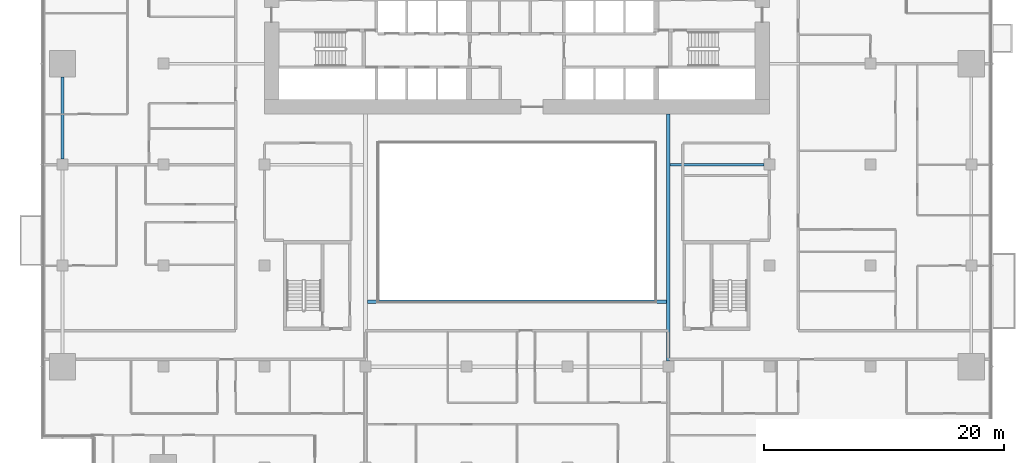
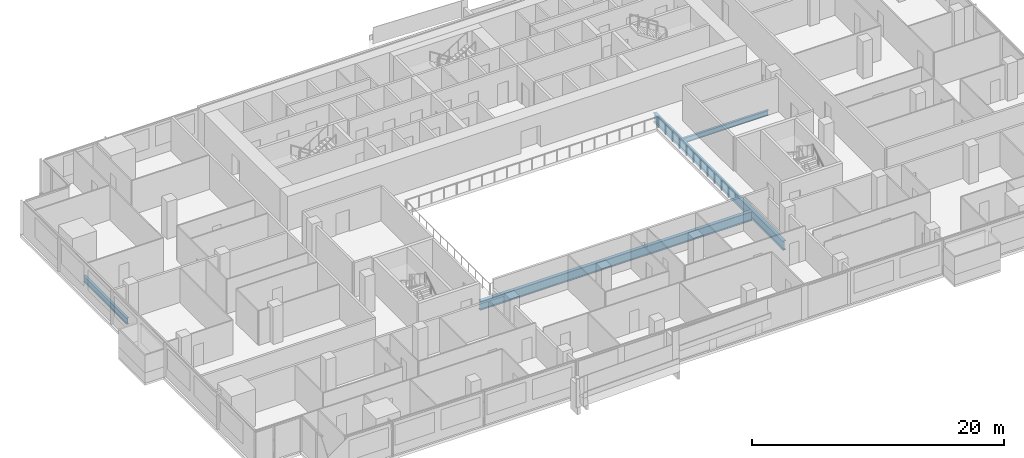
# One storey, part 7 of 26: 4 beams.
"""IFC4 building model written with IfcOpenShell, lengths in metres."""

import ifcopenshell
import ifcopenshell.guid

model = None  # the IFC model being written
_history = None  # IfcOwnerHistory: only IFC2X3 demands one
_inside = {}  # id of a spatial element -> (the spatial element, [elements in it])
_under = {}  # id of a project, library or spatial element -> (it, [spatial elements below it])
_declared = {}  # id of a project -> (the project, [libraries it declares])
_typed = {}  # id of a type object -> (the type object, [elements of that type])
_made_of = {}  # id of a material, layer set ... -> (it, [elements and type objects made of it])


def new_model(schema):
    """Start an empty IFC model of exactly this schema.

    Asked for "IFC4X3", IfcOpenShell would pick the latest addendum, in which some entities
    have other attributes; the version numbers below select the first issue.
    IFC2X3 requires an IfcOwnerHistory on every rooted entity: one is made here for all.
    """
    global model, _history
    if schema == "IFC4X3":
        model = ifcopenshell.file(schema_version=(4, 3, 0, 0))
    else:
        model = ifcopenshell.file(schema=schema)
    _inside.clear()
    _under.clear()
    _declared.clear()
    _typed.clear()
    _made_of.clear()
    _history = None
    if model.schema == "IFC2X3":
        org = make("IfcOrganization", Name="unknown")
        user = make(
            "IfcPersonAndOrganization",
            ThePerson=make("IfcPerson", FamilyName="unknown"),
            TheOrganization=org,
        )
        app = make(
            "IfcApplication",
            ApplicationDeveloper=org,
            Version="unknown",
            ApplicationFullName="unknown",
            ApplicationIdentifier="unknown",
        )
        _history = make(
            "IfcOwnerHistory",
            OwningUser=user,
            OwningApplication=app,
            ChangeAction="ADDED",
            CreationDate=0,
        )
    return model


def make(cls, **values):
    """One entity of the class cls with the attributes given. An attribute that is None is left unset."""
    return model.create_entity(
        cls, **{name: value for name, value in values.items() if value is not None}
    )


def rooted(cls, **values):
    """An entity with a GlobalId (a new one), such as an element, a storey or a relation."""
    return make(cls, GlobalId=ifcopenshell.guid.new(), OwnerHistory=_history, **values)


def si_unit(unit_type, name, prefix=None):
    """IfcSIUnit, for example si_unit("LENGTHUNIT", "METRE", prefix="MILLI")."""
    return make("IfcSIUnit", UnitType=unit_type, Prefix=prefix, Name=name)


def assignment(units):
    """IfcUnitAssignment: the units of a project."""
    return None if units is None else make("IfcUnitAssignment", Units=units)


def point(xyz):
    """IfcCartesianPoint."""
    return None if xyz is None else make("IfcCartesianPoint", Coordinates=xyz)


def direction(xyz):
    """IfcDirection."""
    return None if xyz is None else make("IfcDirection", DirectionRatios=xyz)


def frame(location, z_axis=None, x_axis=None):
    """IfcAxis2Placement3D, a coordinate frame: its origin and axes. An axis left out is left unset."""
    return make(
        "IfcAxis2Placement3D",
        Location=point(location),
        Axis=direction(z_axis),
        RefDirection=direction(x_axis),
    )


def frame_2d(location, x_axis=None):
    """IfcAxis2Placement2D, a coordinate frame in the plane: its origin and x axis."""
    return make(
        "IfcAxis2Placement2D", Location=point(location), RefDirection=direction(x_axis)
    )


def origin():
    """The frame at (0, 0, 0) with its axes left unset."""
    return frame((0.0, 0.0, 0.0))


def origin_2d():
    """The frame at (0, 0) in the plane with its x axis left unset."""
    return frame_2d((0.0, 0.0))


def place(relative_to, where):
    """IfcLocalPlacement: puts the frame where relative to a parent placement (None: the world)."""
    return make(
        "IfcLocalPlacement", PlacementRelTo=relative_to, RelativePlacement=where
    )


def context(
    kind, dimensions, precision=None, world=None, true_north=None, identifier=None
):
    """IfcGeometricRepresentationContext, for example the 3D "Model" context."""
    return make(
        "IfcGeometricRepresentationContext",
        ContextIdentifier=identifier,
        ContextType=kind,
        CoordinateSpaceDimension=dimensions,
        Precision=precision,
        WorldCoordinateSystem=world,
        TrueNorth=true_north,
    )


def subcontext(parent, identifier, kind, view, scale=None):
    """IfcGeometricRepresentationSubContext, for example "Body" below "Model"."""
    return make(
        "IfcGeometricRepresentationSubContext",
        ContextIdentifier=identifier,
        ContextType=kind,
        ParentContext=parent,
        TargetScale=scale,
        TargetView=view,
    )


def project(units=None, contexts=None):
    """IfcProject with its units and contexts."""
    return rooted(
        "IfcProject",
        Name="project",
        RepresentationContexts=contexts,
        UnitsInContext=assignment(units),
    )


def spatial(cls, under=None, at=None, **own):
    """A site, building, storey or space (cls), placed at a placement, below another one or the project."""
    s = rooted(cls, ObjectPlacement=at, **own)
    if under is not None:
        _under.setdefault(under.id(), (under, []))[1].append(s)
    return s


def profile(cls, at=None, kind="AREA", **sizes):
    """A parametric profile (cls). Its sizes go by their IFC names, for example OverallWidth=200.0."""
    return make(cls, ProfileType=kind, Position=at, **sizes)


def i_section(**sizes):
    """IfcIShapeProfileDef."""
    return profile("IfcIShapeProfileDef", **sizes)


def extrude(swept, where, along, depth):
    """IfcExtrudedAreaSolid: the profile swept, set in the frame where, extruded along a direction by depth."""
    return make(
        "IfcExtrudedAreaSolid",
        SweptArea=swept,
        Position=where,
        ExtrudedDirection=direction(along),
        Depth=depth,
    )


def shape(context_of_items, identifier, shape_type, items):
    """IfcShapeRepresentation: the items that make up one representation, for example the "Body"."""
    return make(
        "IfcShapeRepresentation",
        ContextOfItems=context_of_items,
        RepresentationIdentifier=identifier,
        RepresentationType=shape_type,
        Items=items,
    )


def material(Name=None, Category=None):
    """IfcMaterial."""
    return make("IfcMaterial", Name=Name, Category=Category)


def material_profile(
    of_material, cross_section, Name=None, Category=None, Priority=None
):
    """IfcMaterialProfile: a cross section and its material."""
    return make(
        "IfcMaterialProfile",
        Name=Name,
        Material=of_material,
        Profile=cross_section,
        Priority=Priority,
        Category=Category,
    )


def profile_set(profiles, Name=None, composite=None):
    """IfcMaterialProfileSet."""
    return make(
        "IfcMaterialProfileSet",
        Name=Name,
        MaterialProfiles=profiles,
        CompositeProfile=composite,
    )


def made_of(thing, what):
    """Note that an element or type object is made of a material, layer set ...; save() writes the relation."""
    if what is not None:
        _made_of.setdefault(what.id(), (what, []))[1].append(thing)
    return thing


def type_object(cls, material=None, **own):
    """A type object (cls), such as IfcWallType, which elements share."""
    return made_of(rooted(cls, **own), material)


def element(
    cls,
    number,
    at=None,
    inside=None,
    cuts=None,
    type_object=None,
    material=None,
    context=None,
    identifier="Body",
    shape_type=None,
    held_by="IfcProductDefinitionShape",
    body=None,
    shapes=None,
    **own,
):
    """One element of the class cls, such as IfcWall. Its Tag is "e" and its number.

    at: its placement. inside: the storey or other place that contains it. cuts: it is an
    opening in that element (IfcRelVoidsElement). A single representation is given by context,
    identifier, shape_type and body (its items); several are given by shapes. held_by: the class
    of the entity that holds the representations. save() writes the other relations.
    """
    e = rooted(cls, Tag="e%d" % number, ObjectPlacement=at, **own)
    if body is not None:
        shapes = [shape(context, identifier, shape_type, body)]
    if shapes is not None:
        e.Representation = make(held_by, Representations=shapes)
    if inside is not None:
        _inside.setdefault(inside.id(), (inside, []))[1].append(e)
    if cuts is not None:
        rooted(
            "IfcRelVoidsElement", RelatingBuildingElement=cuts, RelatedOpeningElement=e
        )
    if type_object is not None:
        _typed.setdefault(type_object.id(), (type_object, []))[1].append(e)
    return made_of(e, material)


def aggregate(whole, parts):
    """IfcRelAggregates: a whole, such as a stair, and the parts it consists of."""
    return rooted("IfcRelAggregates", RelatingObject=whole, RelatedObjects=parts)


def save(model, path):
    """Write the relations noted so far, then the file.

    IfcRelAggregates (storeys below a building ...), IfcRelContainedInSpatialStructure (elements
    in a storey), IfcRelDefinesByType, IfcRelAssociatesMaterial and IfcRelDeclares: one each for
    every whole, place, type object, material and project.
    """
    for whole, parts in _under.values():
        aggregate(whole, parts)
    for where, things in _inside.values():
        rooted(
            "IfcRelContainedInSpatialStructure",
            RelatedElements=things,
            RelatingStructure=where,
        )
    for kind, things in _typed.values():
        rooted("IfcRelDefinesByType", RelatedObjects=things, RelatingType=kind)
    for what, things in _made_of.values():
        rooted("IfcRelAssociatesMaterial", RelatedObjects=things, RelatingMaterial=what)
    for by, libraries in _declared.values():
        rooted("IfcRelDeclares", RelatingContext=by, RelatedDefinitions=libraries)
    model.write(path)


model = new_model("IFC4")

# Units and contexts
model_context = context("Model", 3, precision=1e-05, world=origin(), true_north=direction((0.0, 1.0)))
body_context = subcontext(model_context, "Body", "Model", "MODEL_VIEW")
ifc_project = project(units=[si_unit("LENGTHUNIT", "METRE"), si_unit("AREAUNIT", "SQUARE_METRE"), si_unit("VOLUMEUNIT", "CUBIC_METRE"), si_unit("PLANEANGLEUNIT", "RADIAN"), si_unit("MASSUNIT", "GRAM", prefix="KILO")], contexts=[model_context])

# Site, building, storey
site_placement = place(None, origin())
site = spatial("IfcSite", under=ifc_project, at=site_placement, CompositionType="ELEMENT")
building_placement = place(site_placement, origin())
building = spatial("IfcBuilding", under=site, at=building_placement, Name="Saffron Gate Tower", CompositionType="ELEMENT")
storey_placement = place(building_placement, frame((0.0, 0.0, 62.39990234375)))
storey = spatial("IfcBuildingStorey", under=building, at=storey_placement, Name="L14", CompositionType="ELEMENT", Elevation=62.39990234375)

# Beams
ifc_material = material(Name="Structural steel S355", Category="steel")
ifc_material_profile_1 = material_profile(ifc_material, i_section(OverallWidth=0.199951171875, OverallDepth=0.5, WebThickness=0.01025390625, FlangeThickness=0.01611328125, FilletRadius=0.02099609375, at=origin_2d()))
ifc_profile_set_1 = profile_set([ifc_material_profile_1], Name="Structural steel S355")
beam_type_1 = type_object("IfcBeamType", Name="B10 IPE 500", PredefinedType="BEAM", material=ifc_profile_set_1)
beam_1_placement = place(storey_placement, frame((108.14990234375, 57.0, -0.52978515625), z_axis=(-1.0, 0.0, 0.0), x_axis=(0.0, -1.0, 0.0)))
element("IfcBeam", 1, at=beam_1_placement, inside=storey, type_object=beam_type_1, Name="B10 CORE TIE BEAM", PredefinedType="BEAM", context=body_context, shape_type="SweptSolid", body=[
    extrude(i_section(OverallWidth=0.199951171875, OverallDepth=0.5, WebThickness=0.01025390625, FlangeThickness=0.01611328125, FilletRadius=0.02099609375, at=origin_2d()), origin(), (0.0, 0.0, 1.0), 7.7998046875),
])
ifc_material_profile_2 = material_profile(ifc_material, i_section(OverallWidth=0.219970703125, OverallDepth=0.60009765625, WebThickness=0.011962890625, FlangeThickness=0.01904296875, FilletRadius=0.02392578125, at=origin_2d()))
ifc_profile_set_2 = profile_set([ifc_material_profile_2], Name="Structural steel S355")
beam_type_2 = type_object("IfcBeamType", Name="B16 IPE 600", PredefinedType="SPANDREL", material=ifc_profile_set_2)
beam_2_placement = place(storey_placement, frame((49.800048828125, 57.449951171875, -0.579833984375), z_axis=(0.0, 1.0, 0.0), x_axis=(-1.0, 0.0, 0.0)))
element("IfcBeam", 2, at=beam_2_placement, inside=storey, type_object=beam_type_2, Name="B16 SPANDREL BEAM", PredefinedType="SPANDREL", context=body_context, shape_type="SweptSolid", body=[
    extrude(i_section(OverallWidth=0.219970703125, OverallDepth=0.60009765625, WebThickness=0.011962890625, FlangeThickness=0.01904296875, FilletRadius=0.02392578125, at=origin_2d()), origin(), (0.0, 0.0, 1.0), 6.85009765625),
])
ifc_material_profile_3 = material_profile(ifc_material, i_section(OverallWidth=0.300048828125, OverallDepth=0.889892578125, WebThickness=0.01611328125, FlangeThickness=0.030029296875, FilletRadius=0.030029296875, at=origin_2d()))
ifc_profile_set_3 = profile_set([ifc_material_profile_3], Name="Structural steel S355")
beam_type_3 = type_object("IfcBeamType", Name="B19 HEA 900", PredefinedType="BEAM", material=ifc_profile_set_3)
beam_3_placement = place(storey_placement, frame((100.199951171875, 40.64990234375, -0.724853515625), z_axis=(0.0, 1.0, 0.0), x_axis=(-1.0, 0.0, 0.0)))
element("IfcBeam", 3, at=beam_3_placement, inside=storey, type_object=beam_type_3, Name="B19 ATRIUM GIRDER", PredefinedType="BEAM", context=body_context, shape_type="SweptSolid", body=[
    extrude(i_section(OverallWidth=0.300048828125, OverallDepth=0.889892578125, WebThickness=0.01611328125, FlangeThickness=0.030029296875, FilletRadius=0.030029296875, at=origin_2d()), origin(), (0.0, 0.0, 1.0), 20.550048828125),
])
beam_4_placement = place(storey_placement, frame((75.14990234375, 45.60009765625, -0.724853515625), z_axis=(1.0, 0.0, 0.0), x_axis=(0.0, 1.0, 0.0)))
element("IfcBeam", 4, at=beam_4_placement, inside=storey, type_object=beam_type_3, Name="B19 ATRIUM GIRDER", PredefinedType="BEAM", context=body_context, shape_type="SweptSolid", body=[
    extrude(i_section(OverallWidth=0.300048828125, OverallDepth=0.889892578125, WebThickness=0.01611328125, FlangeThickness=0.030029296875, FilletRadius=0.030029296875, at=origin_2d()), origin(), (0.0, 0.0, 1.0), 24.900146484375),
])

save(model, "model.ifc")
